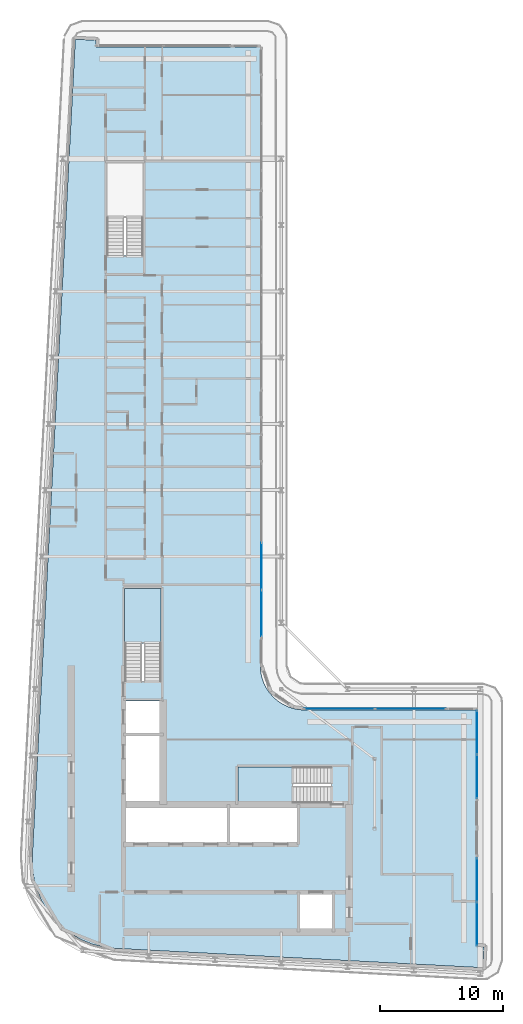
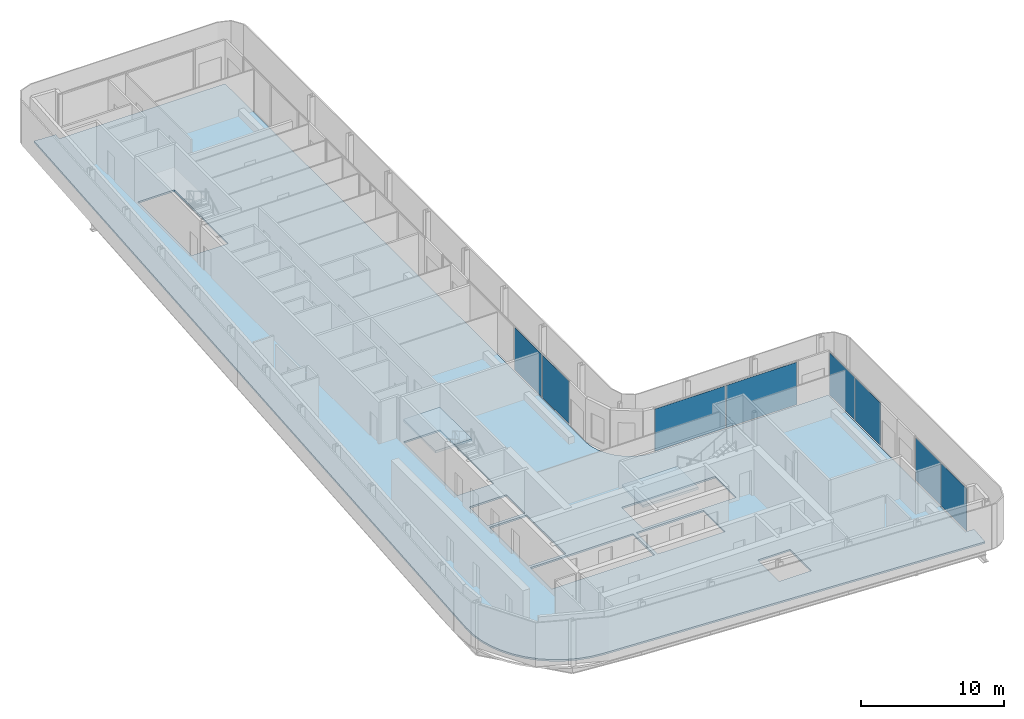
# One storey, part 9 of 21: 8 plates, 3 slabs, 6 elements without a shape of their own.
"""IFC4 building model written with IfcOpenShell, lengths in metres."""

from ifc_helpers import new_model, si_unit, direction, frame, origin, origin_2d, place, context, subcontext, project, spatial, polyline, rectangle, outline, extrude, material, layer, layer_set, type_object, element, aggregate, save


model = new_model("IFC4")

# Units and contexts
model_context = context("Model", 3, precision=1e-05, world=origin(), true_north=direction((0.0, 1.0)))
body_context = subcontext(model_context, "Body", "Model", "MODEL_VIEW")
ifc_project = project(units=[si_unit("LENGTHUNIT", "METRE"), si_unit("AREAUNIT", "SQUARE_METRE"), si_unit("VOLUMEUNIT", "CUBIC_METRE"), si_unit("PLANEANGLEUNIT", "RADIAN"), si_unit("MASSUNIT", "GRAM", prefix="KILO")], contexts=[model_context])

# Site, building, storey
site_placement = place(None, origin())
site = spatial("IfcSite", under=ifc_project, at=site_placement, CompositionType="ELEMENT")
building_placement = place(site_placement, origin())
building = spatial("IfcBuilding", under=site, at=building_placement, Name="Kheshtan School and Residences Tower", CompositionType="ELEMENT")
storey_placement = place(building_placement, frame((0.0, 0.0, 278.60009765625)))
storey = spatial("IfcBuildingStorey", under=building, at=storey_placement, Name="L65", CompositionType="ELEMENT", Elevation=278.60009765625)

# Curtain wall, plates
ifc_material_1 = material(Name="Clear low-e glass in thermally broken aluminium frame", Category="aluminium")
ifc_layer_1 = layer(ifc_material_1, 0.199951171875)
ifc_layer_set_1 = layer_set([ifc_layer_1], Name="Curtain wall CW-L")
curtain_wall_type = type_object("IfcCurtainWallType", Name="Curtain wall CW-L", PredefinedType="NOTDEFINED", material=ifc_layer_set_1)
curtain_wall_1_placement = place(storey_placement, origin())
curtain_wall_1 = element("IfcCurtainWall", 1, at=curtain_wall_1_placement, inside=storey, type_object=curtain_wall_type, Name="Curtain wall CWL8", PredefinedType="NOTDEFINED")
ifc_layer_2 = layer(ifc_material_1, 0.031982421875)
ifc_layer_set_2 = layer_set([ifc_layer_2], Name="CW-L glass panel")
plate_type = type_object("IfcPlateType", Name="CW-L glass panel", PredefinedType="CURTAIN_PANEL", material=ifc_layer_set_2)
plate_1_placement = place(storey_placement, frame((46.0, 55.615478515625, 0.0), z_axis=(0.0, 0.0, 1.0), x_axis=(0.0, -1.0, 0.0)))
plate_1 = element("IfcPlate", 2, at=plate_1_placement, type_object=plate_type, Name="CWL8 panel 1.1", PredefinedType="CURTAIN_PANEL", context=body_context, shape_type="SweptSolid", body=[
    extrude(rectangle(XDim=3.81689453125, YDim=0.031982421875, at=origin_2d()), origin(), (0.0, 0.0, 1.0), 3.6298828125),
])
plate_2_placement = place(storey_placement, frame((46.0, 51.7685546875, 0.0), z_axis=(0.0, 0.0, 1.0), x_axis=(0.0, -1.0, 0.0)))
plate_2 = element("IfcPlate", 3, at=plate_2_placement, type_object=plate_type, Name="CWL8 panel 2.1", PredefinedType="CURTAIN_PANEL", context=body_context, shape_type="SweptSolid", body=[
    extrude(rectangle(XDim=3.757080078125, YDim=0.031982421875, at=origin_2d()), origin(), (0.0, 0.0, 1.0), 3.6298828125),
])
aggregate(curtain_wall_1, [plate_1, plate_2])

curtain_wall_2_placement = place(storey_placement, origin())
curtain_wall_2 = element("IfcCurtainWall", 4, at=curtain_wall_2_placement, inside=storey, type_object=curtain_wall_type, Name="Curtain wall CWL1232", PredefinedType="NOTDEFINED")
plate_3_placement = place(storey_placement, frame((52.35009765625, 44.0, 0.0), z_axis=(0.0, 0.0, 1.0), x_axis=(1.0, 0.0, 0.0)))
plate_3 = element("IfcPlate", 5, at=plate_3_placement, type_object=plate_type, Name="CWL1232 panel 1.1", PredefinedType="CURTAIN_PANEL", context=body_context, shape_type="SweptSolid", body=[
    extrude(rectangle(XDim=5.719970703125, YDim=0.031982421875, at=origin_2d()), origin(), (0.0, 0.0, 1.0), 3.6298828125),
])
plate_4_placement = place(storey_placement, frame((58.1298828125, 44.0, 0.0), z_axis=(0.0, 0.0, 1.0), x_axis=(1.0, 0.0, 0.0)))
plate_4 = element("IfcPlate", 6, at=plate_4_placement, type_object=plate_type, Name="CWL1232 panel 2.1", PredefinedType="CURTAIN_PANEL", context=body_context, shape_type="SweptSolid", body=[
    extrude(rectangle(XDim=5.719970703125, YDim=0.031982421875, at=origin_2d()), origin(), (0.0, 0.0, 1.0), 3.6298828125),
])
aggregate(curtain_wall_2, [plate_3, plate_4])

curtain_wall_3_placement = place(storey_placement, origin())
curtain_wall_3 = element("IfcCurtainWall", 7, at=curtain_wall_3_placement, inside=storey, type_object=curtain_wall_type, Name="Curtain wall CWL13d", PredefinedType="NOTDEFINED")
plate_5_placement = place(storey_placement, frame((63.550048828125, 42.07666015625, 0.0), z_axis=(0.0, 0.0, 1.0), x_axis=(0.0, -1.0, 0.0)))
plate_5 = element("IfcPlate", 8, at=plate_5_placement, type_object=plate_type, Name="CWL13d panel 1.1", PredefinedType="CURTAIN_PANEL", context=body_context, shape_type="SweptSolid", body=[
    extrude(rectangle(XDim=3.52685546875, YDim=0.031982421875, at=origin_2d()), origin(), (0.0, 0.0, 1.0), 3.6298828125),
])
plate_6_placement = place(storey_placement, frame((63.550048828125, 38.489990234375, 0.0), z_axis=(0.0, 0.0, 1.0), x_axis=(0.0, -1.0, 0.0)))
plate_6 = element("IfcPlate", 9, at=plate_6_placement, type_object=plate_type, Name="CWL13d panel 2.1", PredefinedType="CURTAIN_PANEL", context=body_context, shape_type="SweptSolid", body=[
    extrude(rectangle(XDim=3.52685546875, YDim=0.031982421875, at=origin_2d()), origin(), (0.0, 0.0, 1.0), 3.6298828125),
])
aggregate(curtain_wall_3, [plate_5, plate_6])

curtain_wall_4_placement = place(storey_placement, origin())
curtain_wall_4 = element("IfcCurtainWall", 10, at=curtain_wall_4_placement, inside=storey, type_object=curtain_wall_type, Name="Curtain wall CWL13d", PredefinedType="NOTDEFINED")
plate_7_placement = place(storey_placement, frame((63.550048828125, 30.043212890625, 0.0), z_axis=(0.0, 0.0, 1.0), x_axis=(0.0, -1.0, 0.0)))
plate_7 = element("IfcPlate", 11, at=plate_7_placement, type_object=plate_type, Name="CWL13d panel 1.1", PredefinedType="CURTAIN_PANEL", context=body_context, shape_type="SweptSolid", body=[
    extrude(rectangle(XDim=3.52685546875, YDim=0.031982421875, at=origin_2d()), origin(), (0.0, 0.0, 1.0), 3.6298828125),
])
plate_8_placement = place(storey_placement, frame((63.550048828125, 26.456298828125, 0.0), z_axis=(0.0, 0.0, 1.0), x_axis=(0.0, -1.0, 0.0)))
plate_8 = element("IfcPlate", 12, at=plate_8_placement, type_object=plate_type, Name="CWL13d panel 2.1", PredefinedType="CURTAIN_PANEL", context=body_context, shape_type="SweptSolid", body=[
    extrude(rectangle(XDim=3.52685546875, YDim=0.031982421875, at=origin_2d()), origin(), (0.0, 0.0, 1.0), 3.6298828125),
])
aggregate(curtain_wall_4, [plate_7, plate_8])

# Slab
ifc_material_2 = material(Name="Concrete C40/50", Category="concrete")
ifc_layer_3 = layer(ifc_material_2, 0.14990234375)
ifc_layer_set_3 = layer_set([ifc_layer_3], Name="Floor slab 150 Concrete C40/50")
slab_type_1 = type_object("IfcSlabType", Name="Floor slab 150 Concrete C40/50", PredefinedType="FLOOR", material=ifc_layer_set_3)
slab_1_placement = place(storey_placement, frame((0.0, 0.0, -0.150146484375)))
element("IfcSlab", 13, at=slab_1_placement, inside=storey, type_object=slab_type_1, Name="Floor slab L65", PredefinedType="FLOOR", context=body_context, shape_type="SweptSolid", body=[
    extrude(outline(polyline([(28.55908203125, 27.550048828125), (28.0849609375, 28.345947265625), (27.718017578125, 29.200927734375), (27.466064453125, 30.093017578125), (27.466064453125, 30.093994140625), (27.3330078125, 31.013916015625), (27.320068359375, 31.965087890625), (27.320068359375, 31.970947265625), (30.822021484375, 98.5009765625), (30.822998046875, 98.508056640625), (30.825927734375, 98.531005859375), (30.825927734375, 98.531982421875), (30.826904296875, 98.531982421875), (31.422119140625, 98.5), (31.423095703125, 98.5), (31.423095703125, 98.4990234375), (31.423095703125, 98.4951171875), (31.423095703125, 98.493896484375), (31.424072265625, 98.493896484375), (31.424072265625, 98.492919921875), (31.425048828125, 98.492919921875), (31.426025390625, 98.492919921875), (31.426025390625, 98.493896484375), (31.427978515625, 98.49609375), (31.428955078125, 98.4970703125), (31.429931640625, 98.498046875), (31.430908203125, 98.498046875), (31.430908203125, 98.4990234375), (31.431884765625, 98.4990234375), (31.431884765625, 98.5), (31.43505859375, 98.5009765625), (31.43603515625, 98.501953125), (31.43896484375, 98.501953125), (31.43994140625, 98.501953125), (31.43994140625, 98.5029296875), (31.44091796875, 98.5029296875), (31.446044921875, 98.5029296875), (32.5009765625, 98.447021484375), (32.50390625, 98.447021484375), (32.5048828125, 98.447021484375), (32.5048828125, 98.446044921875), (32.506103515625, 98.446044921875), (32.510009765625, 98.446044921875), (32.510009765625, 98.445068359375), (32.510986328125, 98.445068359375), (32.510986328125, 98.444091796875), (32.511962890625, 98.444091796875), (32.511962890625, 98.443115234375), (32.512939453125, 98.443115234375), (32.513916015625, 98.443115234375), (32.513916015625, 98.44189453125), (32.514892578125, 98.44189453125), (32.51611328125, 98.44189453125), (32.51904296875, 98.43896484375), (32.51904296875, 98.43798828125), (32.51904296875, 98.43701171875), (32.52001953125, 98.43701171875), (32.52001953125, 98.43603515625), (32.52099609375, 98.43603515625), (32.52099609375, 98.43408203125), (32.52099609375, 98.43310546875), (32.52197265625, 98.43310546875), (32.52197265625, 98.431884765625), (32.52294921875, 98.431884765625), (32.52294921875, 98.430908203125), (32.52294921875, 98.428955078125), (32.52294921875, 98.427978515625), (32.52392578125, 98.427978515625), (32.52392578125, 98.427001953125), (32.52392578125, 98.422119140625), (32.4970703125, 97.9208984375), (32.4970703125, 97.91796875), (32.4970703125, 97.9169921875), (32.49609375, 97.9169921875), (32.49609375, 97.916015625), (32.49609375, 97.912109375), (32.4951171875, 97.910888671875), (32.4951171875, 97.909912109375), (32.493896484375, 97.909912109375), (32.493896484375, 97.908935546875), (32.492919921875, 97.908935546875), (32.492919921875, 97.907958984375), (32.489013671875, 97.904052734375), (32.488037109375, 97.904052734375), (32.488037109375, 97.903076171875), (32.488037109375, 97.902099609375), (32.488037109375, 97.90087890625), (32.489013671875, 97.90087890625), (32.489013671875, 97.89990234375), (32.489990234375, 97.89990234375), (45.85498046875, 97.89990234375), (45.864990234375, 97.89794921875), (45.865966796875, 97.89794921875), (45.868896484375, 97.89599609375), (45.8740234375, 97.89404296875), (45.8779296875, 97.89208984375), (45.881103515625, 97.889892578125), (45.881103515625, 97.888916015625), (45.882080078125, 97.888916015625), (45.882080078125, 97.887939453125), (45.883056640625, 97.887939453125), (45.884033203125, 97.885009765625), (45.885009765625, 97.885009765625), (45.885009765625, 97.884033203125), (45.887939453125, 97.883056640625), (45.887939453125, 97.882080078125), (45.888916015625, 97.882080078125), (45.888916015625, 97.881103515625), (45.889892578125, 97.881103515625), (45.89208984375, 97.8779296875), (45.89404296875, 97.8740234375), (45.89599609375, 97.868896484375), (45.89794921875, 97.865966796875), (45.89794921875, 97.864990234375), (45.89990234375, 97.85498046875), (45.89990234375, 47.429931640625), (45.927001953125, 47.030029296875), (46.01806640625, 46.570068359375), (46.01806640625, 46.569091796875), (46.169921875, 46.1201171875), (46.37890625, 45.697021484375), (46.638916015625, 45.30810546875), (46.949951171875, 44.950927734375), (46.950927734375, 44.949951171875), (47.30810546875, 44.638916015625), (47.697021484375, 44.37890625), (48.1201171875, 44.169921875), (48.569091796875, 44.01806640625), (48.570068359375, 44.01806640625), (49.030029296875, 43.927001953125), (49.429931640625, 43.89990234375), (63.405029296875, 43.89990234375), (63.409912109375, 43.89892578125), (63.4150390625, 43.89794921875), (63.416015625, 43.89794921875), (63.4189453125, 43.89599609375), (63.424072265625, 43.89404296875), (63.427978515625, 43.89208984375), (63.430908203125, 43.889892578125), (63.430908203125, 43.888916015625), (63.431884765625, 43.888916015625), (63.431884765625, 43.887939453125), (63.43310546875, 43.887939453125), (63.43408203125, 43.885009765625), (63.43505859375, 43.885009765625), (63.43505859375, 43.884033203125), (63.43798828125, 43.883056640625), (63.43798828125, 43.882080078125), (63.43896484375, 43.882080078125), (63.43896484375, 43.881103515625), (63.43994140625, 43.881103515625), (63.44189453125, 43.8779296875), (63.444091796875, 43.8740234375), (63.446044921875, 43.868896484375), (63.447998046875, 43.865966796875), (63.447998046875, 43.864990234375), (63.449951171875, 43.85498046875), (63.449951171875, 24.6279296875), (63.449951171875, 24.626953125), (63.450927734375, 24.626953125), (63.450927734375, 24.6259765625), (63.451904296875, 24.6259765625), (63.452880859375, 24.6259765625), (63.452880859375, 24.626953125), (63.455078125, 24.62890625), (63.4560546875, 24.6298828125), (63.45703125, 24.631103515625), (63.4580078125, 24.631103515625), (63.4580078125, 24.632080078125), (63.458984375, 24.632080078125), (63.458984375, 24.633056640625), (63.462890625, 24.635009765625), (63.466064453125, 24.635009765625), (63.467041015625, 24.635009765625), (63.467041015625, 24.635986328125), (63.468017578125, 24.635986328125), (63.472900390625, 24.635986328125), (64.087890625, 24.60302734375), (64.091064453125, 24.60302734375), (64.092041015625, 24.60302734375), (64.092041015625, 24.60205078125), (64.093017578125, 24.60205078125), (64.096923828125, 24.60205078125), (64.096923828125, 24.60107421875), (64.097900390625, 24.60107421875), (64.097900390625, 24.60009765625), (64.09912109375, 24.60009765625), (64.09912109375, 24.59912109375), (64.10009765625, 24.59912109375), (64.10107421875, 24.59912109375), (64.10107421875, 24.597900390625), (64.10205078125, 24.597900390625), (64.10302734375, 24.597900390625), (64.10302734375, 24.596923828125), (64.10498046875, 24.594970703125), (64.10595703125, 24.594970703125), (64.10595703125, 24.593994140625), (64.10595703125, 24.593017578125), (64.10693359375, 24.593017578125), (64.10693359375, 24.592041015625), (64.10791015625, 24.592041015625), (64.10791015625, 24.590087890625), (64.10791015625, 24.589111328125), (64.10888671875, 24.589111328125), (64.10888671875, 24.587890625), (64.110107421875, 24.587890625), (64.110107421875, 24.5869140625), (64.110107421875, 24.5849609375), (64.110107421875, 24.583984375), (64.111083984375, 24.583984375), (64.111083984375, 24.5830078125), (64.111083984375, 24.577880859375), (64.054931640625, 23.52001953125), (64.054931640625, 23.51708984375), (64.054931640625, 23.51611328125), (64.053955078125, 23.51611328125), (64.053955078125, 23.514892578125), (64.053955078125, 23.510986328125), (64.052978515625, 23.510009765625), (64.052978515625, 23.509033203125), (64.052001953125, 23.509033203125), (64.052001953125, 23.508056640625), (64.051025390625, 23.508056640625), (64.051025390625, 23.507080078125), (64.050048828125, 23.506103515625), (64.048095703125, 23.50390625), (64.047119140625, 23.5029296875), (64.0458984375, 23.5029296875), (64.0458984375, 23.501953125), (64.0458984375, 23.5009765625), (64.0458984375, 23.5), (64.047119140625, 23.5), (64.047119140625, 23.4990234375), (64.048095703125, 23.4990234375), (64.049072265625, 23.4990234375), (64.050048828125, 23.4990234375), (64.050048828125, 23.498046875), (64.01806640625, 22.904052734375), (64.01806640625, 22.903076171875), (64.01708984375, 22.903076171875), (63.992919921875, 22.902099609375), (63.988037109375, 22.902099609375), (34.056884765625, 24.47802734375), (33.114990234375, 24.590087890625), (32.215087890625, 24.819091796875), (32.214111328125, 24.819091796875), (31.35205078125, 25.1630859375), (30.541015625, 25.616943359375), (29.799072265625, 26.1708984375), (29.799072265625, 26.172119140625), (29.798095703125, 26.172119140625), (29.134033203125, 26.820068359375), (29.134033203125, 26.821044921875), (29.133056640625, 26.821044921875), (28.55908203125, 27.550048828125)]), holes=[polyline([(63.450927734375, 23.506103515625), (63.449951171875, 23.506103515625), (63.449951171875, 23.5048828125), (63.449951171875, 23.5009765625), (63.449951171875, 23.5), (63.450927734375, 23.5), (63.450927734375, 23.4990234375), (63.451904296875, 23.4990234375), (63.4560546875, 23.4990234375), (63.45703125, 23.4990234375), (63.45703125, 23.5), (63.4580078125, 23.5), (63.4580078125, 23.5009765625), (63.4580078125, 23.501953125), (63.45703125, 23.501953125), (63.4560546875, 23.5029296875), (63.455078125, 23.50390625), (63.452880859375, 23.506103515625), (63.452880859375, 23.507080078125), (63.451904296875, 23.507080078125), (63.450927734375, 23.507080078125), (63.450927734375, 23.506103515625)]), polyline([(31.424072265625, 97.906982421875), (31.423095703125, 97.906982421875), (31.423095703125, 97.906005859375), (31.423095703125, 97.902099609375), (31.423095703125, 97.90087890625), (31.424072265625, 97.90087890625), (31.424072265625, 97.89990234375), (31.425048828125, 97.89990234375), (31.428955078125, 97.89990234375), (31.429931640625, 97.89990234375), (31.429931640625, 97.90087890625), (31.430908203125, 97.90087890625), (31.430908203125, 97.902099609375), (31.430908203125, 97.903076171875), (31.429931640625, 97.903076171875), (31.428955078125, 97.904052734375), (31.427978515625, 97.905029296875), (31.427001953125, 97.906005859375), (31.426025390625, 97.906982421875), (31.426025390625, 97.907958984375), (31.425048828125, 97.907958984375), (31.424072265625, 97.907958984375), (31.424072265625, 97.906982421875)]), polyline([(51.72509765625, 28.925048828125), (49.125, 28.925048828125), (49.125, 25.925048828125), (51.72509765625, 25.925048828125), (51.72509765625, 28.925048828125)]), polyline([(43.175048828125, 33.074951171875), (43.175048828125, 36.074951171875), (34.875, 36.074951171875), (34.875, 33.074951171875), (43.175048828125, 33.074951171875)]), polyline([(43.425048828125, 36.074951171875), (43.425048828125, 33.074951171875), (48.875, 33.074951171875), (48.875, 36.074951171875), (43.425048828125, 36.074951171875)]), polyline([(51.64990234375, 37.699951171875), (51.64990234375, 39.25), (44.090087890625, 39.25), (44.090087890625, 36.300048828125), (51.639892578125, 36.300048828125), (51.639892578125, 37.699951171875), (51.64990234375, 37.699951171875)]), polyline([(37.875, 41.77490234375), (34.875, 41.77490234375), (34.875, 36.324951171875), (37.875, 36.324951171875), (37.875, 41.77490234375)]), polyline([(37.875, 44.625), (34.875, 44.625), (34.875, 42.02490234375), (37.875, 42.02490234375), (37.875, 44.625)]), polyline([(37.800048828125, 53.81005859375), (34.85009765625, 53.81005859375), (34.85009765625, 46.260009765625), (36.25, 46.260009765625), (36.25, 46.25), (37.800048828125, 46.25), (37.800048828125, 53.81005859375)]), polyline([(36.35009765625, 88.4599609375), (33.39990234375, 88.4599609375), (33.39990234375, 80.909912109375), (34.800048828125, 80.909912109375), (34.800048828125, 80.89990234375), (36.35009765625, 80.89990234375), (36.35009765625, 88.4599609375)])]), origin(), (0.0, 0.0, 1.0), 0.150146484375),
])

# Stair, slab
stair_type = type_object("IfcStairType", Name="Exit stair, half-turn", PredefinedType="HALF_TURN_STAIR", material=ifc_material_2)
stair_1_placement = place(storey_placement, origin())
stair_1 = element("IfcStair", 14, at=stair_1_placement, inside=storey, type_object=stair_type, Name="L65 Protected Exit Stair ST1", PredefinedType="HALF_TURN_STAIR")
ifc_layer_4 = layer(ifc_material_2, 0.199951171875)
ifc_layer_set_4 = layer_set([ifc_layer_4], Name="Stair landing 200 Concrete C40/50")
slab_type_2 = type_object("IfcSlabType", Name="Stair landing 200 Concrete C40/50", PredefinedType="LANDING", material=ifc_layer_set_4)
slab_2_placement = place(storey_placement, frame((0.0, 0.0, 1.75)))
slab_2 = element("IfcSlab", 15, at=slab_2_placement, type_object=slab_type_2, Name="ST1 landing 1", PredefinedType="LANDING", context=body_context, shape_type="SweptSolid", body=[
    extrude(outline(polyline([(48.570068359375, 39.25), (44.090087890625, 39.25), (44.090087890625, 36.300048828125), (48.570068359375, 36.300048828125), (48.570068359375, 39.25)])), origin(), (0.0, 0.0, 1.0), 0.199951171875),
])
aggregate(stair_1, [slab_2])

stair_2_placement = place(storey_placement, origin())
stair_2 = element("IfcStair", 16, at=stair_2_placement, inside=storey, type_object=stair_type, Name="L65 Protected Exit Stair ST2", PredefinedType="HALF_TURN_STAIR")
slab_3_placement = place(storey_placement, frame((0.0, 0.0, 1.75)))
slab_3 = element("IfcSlab", 17, at=slab_3_placement, type_object=slab_type_2, Name="ST2 landing 1", PredefinedType="LANDING", context=body_context, shape_type="SweptSolid", body=[
    extrude(outline(polyline([(37.800048828125, 49.330078125), (37.800048828125, 53.81005859375), (34.85009765625, 53.81005859375), (34.85009765625, 49.330078125), (37.800048828125, 49.330078125)])), origin(), (0.0, 0.0, 1.0), 0.199951171875),
])
aggregate(stair_2, [slab_3])

save(model, "model.ifc")
